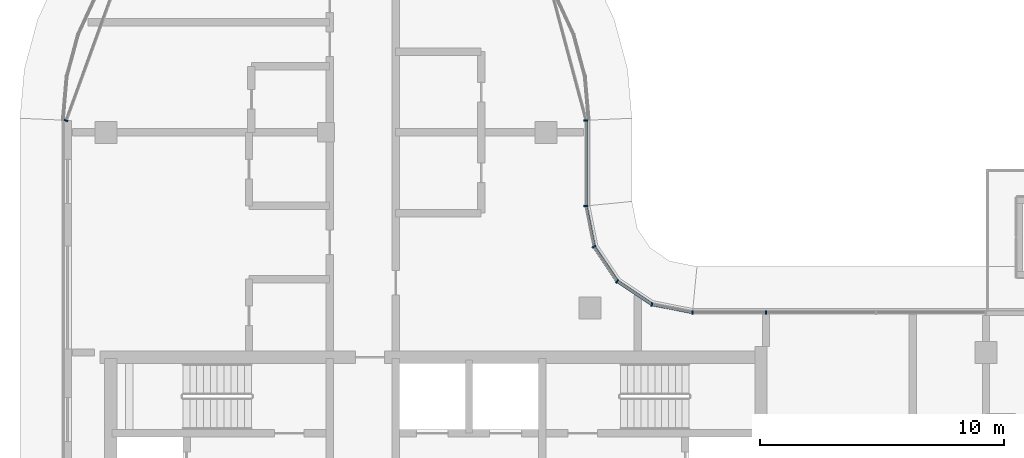
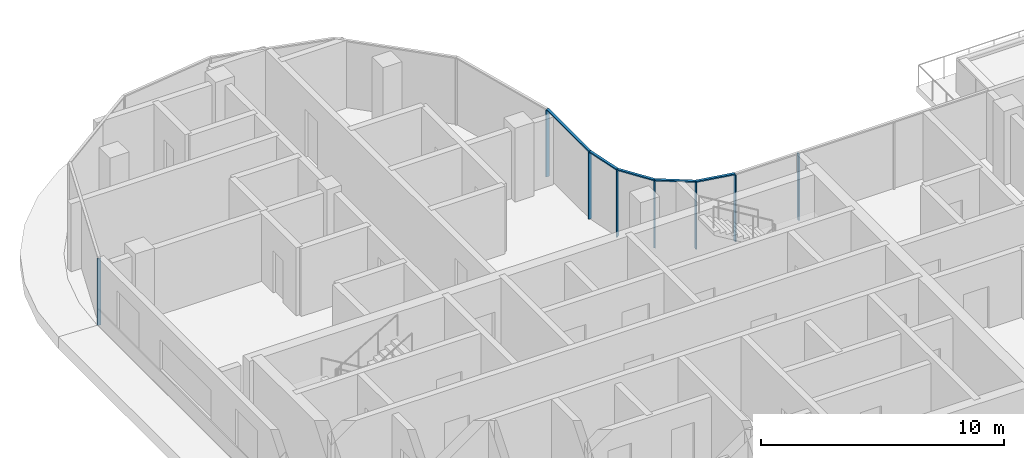
# One storey, part 2 of 20: 13 members, 4 elements without a shape of their own.
"""IFC4 building model written with IfcOpenShell, lengths in metres."""

from ifc_helpers import new_model, si_unit, direction, frame, origin, origin_2d, place, context, subcontext, project, spatial, rectangle, extrude, material, material_profile, profile_set, type_object, element, aggregate, save


model = new_model("IFC4")

# Units and contexts
model_context = context("Model", 3, precision=1e-05, world=origin(), true_north=direction((0.0, 1.0)))
body_context = subcontext(model_context, "Body", "Model", "MODEL_VIEW")
ifc_project = project(units=[si_unit("LENGTHUNIT", "METRE"), si_unit("AREAUNIT", "SQUARE_METRE"), si_unit("VOLUMEUNIT", "CUBIC_METRE"), si_unit("PLANEANGLEUNIT", "RADIAN"), si_unit("MASSUNIT", "GRAM", prefix="KILO")], contexts=[model_context])

# Site, building, storey
site_placement = place(None, origin())
site = spatial("IfcSite", under=ifc_project, at=site_placement, CompositionType="ELEMENT")
building_placement = place(site_placement, origin())
building = spatial("IfcBuilding", under=site, at=building_placement, Name="Ogive Portal Towers", CompositionType="ELEMENT")
storey_placement = place(building_placement, frame((0.0, 0.0, 195.800048828125)))
storey = spatial("IfcBuildingStorey", under=building, at=storey_placement, Name="L48", CompositionType="ELEMENT", Elevation=195.800048828125)

# Curtain wall, members
ifc_material_1 = material(Name="Glass, clear low-iron insulated glazing", Category="glass")
curtain_wall_type = type_object("IfcCurtainWallType", Name="CW FRONT RIBBON 4500", PredefinedType="NOTDEFINED", material=ifc_material_1)
curtain_wall_1_placement = place(storey_placement, origin())
curtain_wall_1 = element("IfcCurtainWall", 1, at=curtain_wall_1_placement, inside=storey, type_object=curtain_wall_type, Name="A:L48:f13:cw1", PredefinedType="NOTDEFINED")
ifc_material_2 = material(Name="Aluminium 6063 anodised", Category="aluminium")
ifc_material_profile_1 = material_profile(ifc_material_2, rectangle(XDim=0.159912109375, YDim=0.06005859375, at=origin_2d()), Name="AL 60x160")
ifc_profile_set_1 = profile_set([ifc_material_profile_1], Name="Aluminium 6063 anodised")
member_type_1 = type_object("IfcMemberType", Name="CW MULLION 60x160", PredefinedType="MULLION", material=ifc_profile_set_1)
member_1_placement = place(storey_placement, frame((58.5, 41.135009765625, 0.0), z_axis=(0.0, 0.0, 1.0), x_axis=(0.0, -1.0, 0.0)))
member_1 = element("IfcMember", 2, at=member_1_placement, type_object=member_type_1, Name="mullion", PredefinedType="MULLION", context=body_context, shape_type="SweptSolid", body=[
    extrude(rectangle(XDim=0.159912109375, YDim=0.06005859375, at=origin_2d()), origin(), (0.0, 0.0, 1.0), 3.33984375),
])
member_2_placement = place(storey_placement, frame((55.4921875, 41.135009765625, 0.0), z_axis=(0.0, 0.0, 1.0), x_axis=(0.0, -1.0, 0.0)))
member_2 = element("IfcMember", 3, at=member_2_placement, type_object=member_type_1, Name="mullion", PredefinedType="MULLION", context=body_context, shape_type="SweptSolid", body=[
    extrude(rectangle(XDim=0.159912109375, YDim=0.06005859375, at=origin_2d()), origin(), (0.0, 0.0, 1.0), 3.33984375),
])
aggregate(curtain_wall_1, [member_1, member_2])

curtain_wall_2_placement = place(storey_placement, origin())
curtain_wall_2 = element("IfcCurtainWall", 4, at=curtain_wall_2_placement, inside=storey, type_object=curtain_wall_type, Name="A:L48:f18:cw0", PredefinedType="NOTDEFINED")
member_3_placement = place(storey_placement, frame((51.135009765625, 45.4921875, 0.0), z_axis=(0.0, 0.0, 1.0), x_axis=(-1.0, 0.0, 0.0)))
member_3 = element("IfcMember", 5, at=member_3_placement, type_object=member_type_1, Name="mullion", PredefinedType="MULLION", context=body_context, shape_type="SweptSolid", body=[
    extrude(rectangle(XDim=0.159912109375, YDim=0.06005859375, at=origin_2d()), origin(), (0.0, 0.0, 1.0), 3.33984375),
])
member_4_placement = place(storey_placement, frame((51.135009765625, 48.989501953125, 0.0), z_axis=(0.0, 0.0, 1.0), x_axis=(-1.0, 0.0, 0.0)))
member_4 = element("IfcMember", 6, at=member_4_placement, type_object=member_type_1, Name="mullion", PredefinedType="MULLION", context=body_context, shape_type="SweptSolid", body=[
    extrude(rectangle(XDim=0.159912109375, YDim=0.06005859375, at=origin_2d()), origin(), (0.0, 0.0, 1.0), 3.33984375),
])

curtain_wall_3_placement = place(storey_placement, origin())
curtain_wall_3 = element("IfcCurtainWall", 7, at=curtain_wall_3_placement, inside=storey, type_object=curtain_wall_type, Name="A:L48:f14:cwa", PredefinedType="NOTDEFINED")
member_5_placement = place(storey_placement, frame((53.8291015625, 41.4658203125, 0.0), z_axis=(0.0, 0.0, 1.0), x_axis=(-0.195090322016, -0.980785280403, 0.0)))
member_5 = element("IfcMember", 8, at=member_5_placement, type_object=member_type_1, Name="mullion", PredefinedType="MULLION", context=body_context, shape_type="SweptSolid", body=[
    extrude(rectangle(XDim=0.159912109375, YDim=0.06005859375, at=origin_2d()), origin(), (0.0, 0.0, 1.0), 3.33984375),
])
member_6_placement = place(storey_placement, frame((52.412353515625, 42.412353515625, 0.0), z_axis=(0.0, 0.0, 1.0), x_axis=(-0.55557023302, -0.831469612303, 0.0)))
member_6 = element("IfcMember", 9, at=member_6_placement, type_object=member_type_1, Name="mullion", PredefinedType="MULLION", context=body_context, shape_type="SweptSolid", body=[
    extrude(rectangle(XDim=0.159912109375, YDim=0.06005859375, at=origin_2d()), origin(), (0.0, 0.0, 1.0), 3.33984375),
])
member_7_placement = place(storey_placement, frame((51.4658203125, 43.8291015625, 0.0), z_axis=(0.0, 0.0, 1.0), x_axis=(-0.831469612303, -0.55557023302, 0.0)))
member_7 = element("IfcMember", 10, at=member_7_placement, type_object=member_type_1, Name="mullion", PredefinedType="MULLION", context=body_context, shape_type="SweptSolid", body=[
    extrude(rectangle(XDim=0.159912109375, YDim=0.06005859375, at=origin_2d()), origin(), (0.0, 0.0, 1.0), 3.33984375),
])

# Curtain wall, member
curtain_wall_4_placement = place(storey_placement, origin())
curtain_wall_4 = element("IfcCurtainWall", 11, at=curtain_wall_4_placement, inside=storey, type_object=curtain_wall_type, Name="A:L48:f19:cwa", PredefinedType="NOTDEFINED")
member_8_placement = place(storey_placement, frame((29.864990234375, 48.98583984375, 0.0), z_axis=(0.0, 0.0, 1.0), x_axis=(0.939692620786, -0.342020143326, 0.0)))
member_8 = element("IfcMember", 12, at=member_8_placement, type_object=member_type_1, Name="mullion", PredefinedType="MULLION", context=body_context, shape_type="SweptSolid", body=[
    extrude(rectangle(XDim=0.159912109375, YDim=0.06005859375, at=origin_2d()), origin(), (0.0, 0.0, 1.0), 3.33984375),
])
aggregate(curtain_wall_4, [member_8])

# Member
ifc_material_profile_2 = material_profile(ifc_material_2, rectangle(XDim=0.1201171875, YDim=0.06005859375, at=origin_2d()), Name="AL 120x60")
ifc_profile_set_2 = profile_set([ifc_material_profile_2], Name="Aluminium 6063 anodised")
member_type_2 = type_object("IfcMemberType", Name="CW TRANSOM 60x120", PredefinedType="USERDEFINED", material=ifc_profile_set_2)
member_9_placement = place(storey_placement, frame((51.135009765625, 45.4921875, 3.369873046875), z_axis=(0.0, 1.0, 0.0), x_axis=(-1.0, 0.0, 0.0)))
member_9 = element("IfcMember", 13, at=member_9_placement, type_object=member_type_2, Name="transom", ObjectType="TRANSOM", PredefinedType="USERDEFINED", context=body_context, shape_type="SweptSolid", body=[
    extrude(rectangle(XDim=0.1201171875, YDim=0.06005859375, at=origin_2d()), origin(), (0.0, 0.0, 1.0), 3.497314453125),
])

aggregate(curtain_wall_2, [member_9, member_3, member_4])

member_10_placement = place(storey_placement, frame((55.4921875, 41.135009765625, 3.369873046875), z_axis=(-0.980785033743, 0.195091562056, 0.0), x_axis=(-0.195091562056, -0.980785033743, 0.0)))
member_10 = element("IfcMember", 14, at=member_10_placement, type_object=member_type_2, Name="transom", ObjectType="TRANSOM", PredefinedType="USERDEFINED", context=body_context, shape_type="SweptSolid", body=[
    extrude(rectangle(XDim=0.1201171875, YDim=0.06005859375, at=origin_2d()), origin(), (0.0, 0.0, 1.0), 1.695556640625),
])

member_11_placement = place(storey_placement, frame((53.8291015625, 41.4658203125, 3.369873046875), z_axis=(-0.831498776979, 0.555526582517, 0.0), x_axis=(-0.555526582517, -0.831498776979, 0.0)))
member_11 = element("IfcMember", 15, at=member_11_placement, type_object=member_type_2, Name="transom", ObjectType="TRANSOM", PredefinedType="USERDEFINED", context=body_context, shape_type="SweptSolid", body=[
    extrude(rectangle(XDim=0.1201171875, YDim=0.06005859375, at=origin_2d()), origin(), (0.0, 0.0, 1.0), 1.703857421875),
])

member_12_placement = place(storey_placement, frame((52.412353515625, 42.412353515625, 3.369873046875), z_axis=(-0.555526582517, 0.831498776979, 0.0), x_axis=(-0.831498776979, -0.555526582517, 0.0)))
member_12 = element("IfcMember", 16, at=member_12_placement, type_object=member_type_2, Name="transom", ObjectType="TRANSOM", PredefinedType="USERDEFINED", context=body_context, shape_type="SweptSolid", body=[
    extrude(rectangle(XDim=0.1201171875, YDim=0.06005859375, at=origin_2d()), origin(), (0.0, 0.0, 1.0), 1.703857421875),
])

member_13_placement = place(storey_placement, frame((51.4658203125, 43.8291015625, 3.369873046875), z_axis=(-0.195091562056, 0.980785033743, 0.0), x_axis=(-0.980785033743, -0.195091562056, 0.0)))
member_13 = element("IfcMember", 17, at=member_13_placement, type_object=member_type_2, Name="transom", ObjectType="TRANSOM", PredefinedType="USERDEFINED", context=body_context, shape_type="SweptSolid", body=[
    extrude(rectangle(XDim=0.1201171875, YDim=0.06005859375, at=origin_2d()), origin(), (0.0, 0.0, 1.0), 1.695556640625),
])

aggregate(curtain_wall_3, [member_10, member_11, member_12, member_13, member_5, member_6, member_7])

save(model, "model.ifc")
